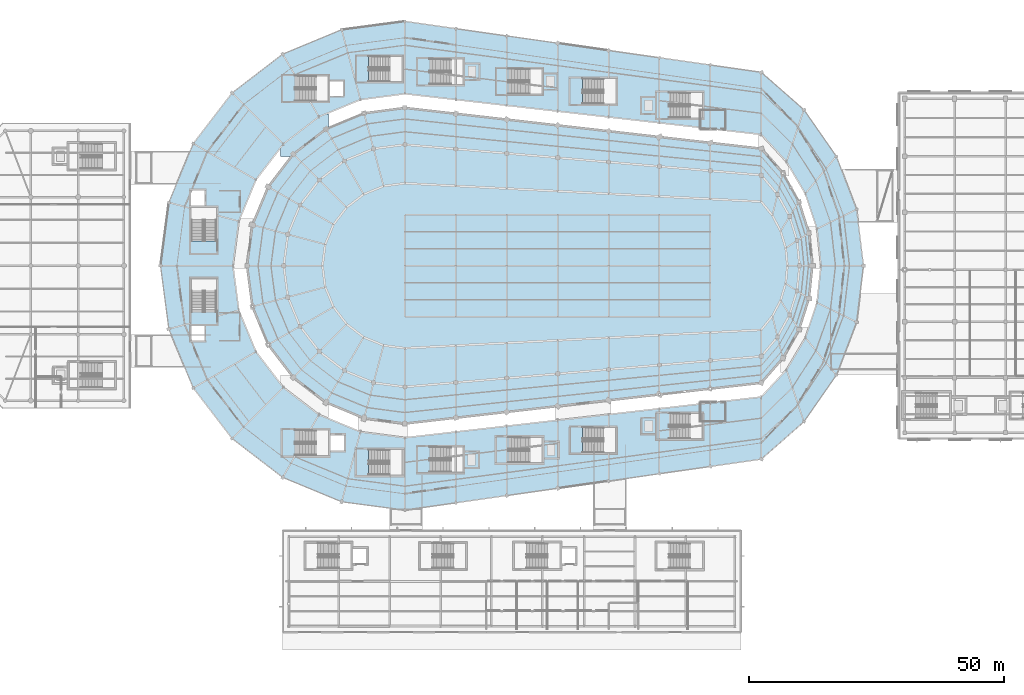
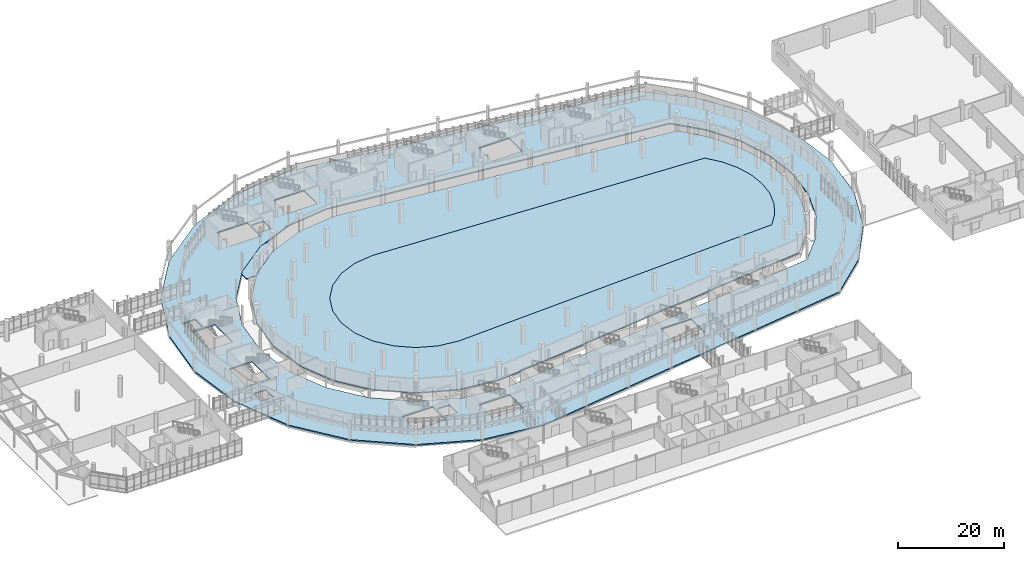
# One storey, part 87 of 122: 4 slabs.
"""IFC4 building model written with IfcOpenShell, lengths in metres."""

from ifc_helpers import new_model, si_unit, direction, frame, origin, place, context, subcontext, project, spatial, polyline, outline, extrude, material, layer, layer_set, type_object, element, save


model = new_model("IFC4")

# Units and contexts
model_context = context("Model", 3, precision=1e-05, world=origin(), true_north=direction((0.0, 1.0)))
body_context = subcontext(model_context, "Body", "Model", "MODEL_VIEW")
ifc_project = project(units=[si_unit("LENGTHUNIT", "METRE"), si_unit("AREAUNIT", "SQUARE_METRE"), si_unit("VOLUMEUNIT", "CUBIC_METRE"), si_unit("PLANEANGLEUNIT", "RADIAN"), si_unit("MASSUNIT", "GRAM", prefix="KILO")], contexts=[model_context])

# Site, building, storey
site_placement = place(None, origin())
site = spatial("IfcSite", under=ifc_project, at=site_placement, CompositionType="ELEMENT")
building_placement = place(site_placement, origin())
building = spatial("IfcBuilding", under=site, at=building_placement, Name="Sohan Crest Arena", CompositionType="ELEMENT")
storey_placement = place(building_placement, origin())
storey = spatial("IfcBuildingStorey", under=building, at=storey_placement, Name="L00", CompositionType="ELEMENT", Elevation=0.0)

# Slabs
ifc_material = material(Name="Concrete C40/50", Category="concrete")
ifc_layer_1 = layer(ifc_material, 0.25, Name="Concrete C40/50")
ifc_layer_set_1 = layer_set([ifc_layer_1], Name="Concrete C40/50")
slab_type_1 = type_object("IfcSlabType", Name="SL-FLR3", PredefinedType="FLOOR", material=ifc_layer_set_1)
slab_1_placement = place(storey_placement, frame((0.0, 0.0, -0.25)))
element("IfcSlab", 1, at=slab_1_placement, inside=storey, type_object=slab_type_1, Name="Bowl courtside concourse slab SL-L00-V1", PredefinedType="FLOOR", context=body_context, shape_type="SweptSolid", body=[
    extrude(outline(polyline([(98.0, 109.0), (89.97705078125, 107.944091796875), (82.5, 104.846923828125), (76.080078125, 99.919921875), (71.153076171875, 93.5), (68.055908203125, 86.02294921875), (67.0, 78.0), (68.055908203125, 69.97705078125), (71.153076171875, 62.5), (76.080078125, 56.080078125), (82.5, 51.153076171875), (89.97705078125, 48.055908203125), (98.0, 47.0), (168.0, 55.0), (172.242919921875, 59.845947265625), (175.408935546875, 65.455078125), (177.363037109375, 71.593017578125), (178.02294921875, 78.0), (177.363037109375, 84.406982421875), (175.408935546875, 90.544921875), (172.242919921875, 96.154052734375), (168.0, 101.0), (98.0, 109.0)]), holes=[polyline([(98.0, 94.199951171875), (93.806884765625, 93.64794921875), (89.89990234375, 92.030029296875), (86.544921875, 89.455078125), (83.969970703125, 86.10009765625), (82.35205078125, 82.193115234375), (81.800048828125, 78.0), (82.35205078125, 73.806884765625), (83.969970703125, 69.89990234375), (86.544921875, 66.544921875), (89.89990234375, 63.969970703125), (93.806884765625, 62.35205078125), (98.0, 61.800048828125), (168.0, 65.39990234375), (170.18603515625, 68.112060546875), (171.80908203125, 71.195068359375), (172.80810546875, 74.532958984375), (173.14501953125, 78.0), (172.80810546875, 81.467041015625), (171.80908203125, 84.804931640625), (170.18603515625, 87.887939453125), (168.0, 90.60009765625), (98.0, 94.199951171875)])]), origin(), (0.0, 0.0, 1.0), 0.25),
])
slab_2_placement = place(storey_placement, frame((0.0, 0.0, -0.25)))
element("IfcSlab", 2, at=slab_2_placement, inside=storey, type_object=slab_type_1, Name="Seismic joint threshold slab L00 SL-TH-L00-02", PredefinedType="FLOOR", context=body_context, shape_type="SweptSolid", body=[
    extrude(outline(polyline([(74.10009765625, 101.89990234375), (81.10009765625, 107.27197265625), (82.306884765625, 107.77197265625), (83.0, 107.77197265625), (83.0, 105.053955078125), (82.5, 104.846923828125), (76.080078125, 99.919921875), (75.696044921875, 99.419921875), (73.60009765625, 99.419921875), (73.60009765625, 101.248046875), (74.10009765625, 101.89990234375)])), origin(), (0.0, 0.0, 1.0), 0.25),
])
ifc_layer_2 = layer(ifc_material, 0.27490234375, Name="Concrete C40/50")
ifc_layer_set_2 = layer_set([ifc_layer_2], Name="Concrete C40/50")
slab_type_2 = type_object("IfcSlabType", Name="SL-FLR4", PredefinedType="FLOOR", material=ifc_layer_set_2)
slab_3_placement = place(storey_placement, frame((0.0, 0.0, -0.27490234375)))
element("IfcSlab", 3, at=slab_3_placement, inside=storey, type_object=slab_type_2, Name="Concourse L00 slab SL-L00-V2", PredefinedType="FLOOR", context=body_context, shape_type="SweptSolid", body=[
    extrude(outline(polyline([(186.72509765625, 66.929931640625), (182.7490234375, 56.510986328125), (176.383056640625, 47.35498046875), (168.0, 40.0), (98.0, 30.0), (85.576904296875, 31.635986328125), (74.0, 36.430908203125), (64.05908203125, 44.05908203125), (56.430908203125, 54.0), (51.635986328125, 65.576904296875), (50.0, 78.0), (51.635986328125, 90.423095703125), (56.430908203125, 102.0), (64.05908203125, 111.94091796875), (74.0, 119.569091796875), (85.576904296875, 124.364013671875), (98.0, 126.0), (168.0, 116.0), (176.383056640625, 108.64501953125), (182.7490234375, 99.489013671875), (186.72509765625, 89.070068359375), (188.076904296875, 78.0), (186.72509765625, 66.929931640625)]), holes=[polyline([(98.0, 44.199951171875), (168.0, 52.199951171875), (172.9609375, 57.547119140625), (176.674072265625, 63.824951171875), (178.971923828125, 70.748046875), (179.75, 78.0), (178.971923828125, 85.251953125), (176.674072265625, 92.175048828125), (172.9609375, 98.452880859375), (168.0, 103.800048828125), (98.0, 111.800048828125), (89.251953125, 110.64794921875), (81.10009765625, 107.27197265625), (74.10009765625, 101.89990234375), (68.72802734375, 94.89990234375), (65.35205078125, 86.748046875), (64.199951171875, 78.0), (65.35205078125, 69.251953125), (68.72802734375, 61.10009765625), (74.10009765625, 54.10009765625), (81.10009765625, 48.72802734375), (89.251953125, 45.35205078125), (98.0, 44.199951171875)]), polyline([(61.0, 68.8701171875), (61.0, 75.449951171875), (56.0, 75.449951171875), (56.0, 68.8701171875), (61.0, 68.8701171875)]), polyline([(56.0, 63.300048828125), (58.60009765625, 63.300048828125), (58.60009765625, 66.199951171875), (56.0, 66.199951171875), (56.0, 63.300048828125)]), polyline([(56.0, 89.449951171875), (56.0, 82.8701171875), (61.0, 82.8701171875), (61.0, 89.449951171875), (56.0, 89.449951171875)]), polyline([(58.60009765625, 92.75), (56.0, 92.75), (56.0, 89.85009765625), (58.60009765625, 89.85009765625), (58.60009765625, 92.75)]), polyline([(82.949951171875, 40.699951171875), (82.949951171875, 45.699951171875), (76.3701171875, 45.699951171875), (76.3701171875, 40.699951171875), (82.949951171875, 40.699951171875)]), polyline([(83.39990234375, 41.75), (86.0, 41.75), (86.0, 44.64990234375), (83.39990234375, 44.64990234375), (83.39990234375, 41.75)]), polyline([(76.3701171875, 115.300048828125), (76.3701171875, 110.300048828125), (82.949951171875, 110.300048828125), (82.949951171875, 115.300048828125), (76.3701171875, 115.300048828125)]), polyline([(85.85009765625, 114.25), (83.25, 114.25), (83.25, 111.35009765625), (85.85009765625, 111.35009765625), (85.85009765625, 114.25)]), polyline([(97.449951171875, 36.860107421875), (97.449951171875, 41.860107421875), (90.8701171875, 41.860107421875), (90.8701171875, 36.860107421875), (97.449951171875, 36.860107421875)]), polyline([(90.8701171875, 114.139892578125), (97.449951171875, 114.139892578125), (97.449951171875, 119.139892578125), (90.8701171875, 119.139892578125), (90.8701171875, 114.139892578125)]), polyline([(132.8701171875, 46.25), (132.8701171875, 41.25), (139.449951171875, 41.25), (139.449951171875, 46.25), (132.8701171875, 46.25)]), polyline([(139.449951171875, 114.75), (132.8701171875, 114.75), (132.8701171875, 109.75), (139.449951171875, 109.75), (139.449951171875, 114.75)])]), origin(), (0.0, 0.0, 1.0), 0.27490234375),
])
ifc_layer_3 = layer(ifc_material, 0.300048828125, Name="Concrete C40/50")
ifc_layer_set_3 = layer_set([ifc_layer_3], Name="Concrete C40/50")
slab_type_3 = type_object("IfcSlabType", Name="SL-FLR5", PredefinedType="FLOOR", material=ifc_layer_set_3)
slab_4_placement = place(storey_placement, frame((0.0, 0.0, -0.300048828125)))
element("IfcSlab", 4, at=slab_4_placement, inside=storey, type_object=slab_type_3, Name="Arena event floor slab SL-L00-EVT", PredefinedType="FLOOR", context=body_context, shape_type="SweptSolid", body=[
    extrude(outline(polyline([(98.0, 94.199951171875), (93.806884765625, 93.64794921875), (89.89990234375, 92.030029296875), (86.544921875, 89.455078125), (83.969970703125, 86.10009765625), (82.35205078125, 82.193115234375), (81.800048828125, 78.0), (82.35205078125, 73.806884765625), (83.969970703125, 69.89990234375), (86.544921875, 66.544921875), (89.89990234375, 63.969970703125), (93.806884765625, 62.35205078125), (98.0, 61.800048828125), (168.0, 65.39990234375), (170.18603515625, 68.112060546875), (171.80908203125, 71.195068359375), (172.80810546875, 74.532958984375), (173.14501953125, 78.0), (172.80810546875, 81.467041015625), (171.80908203125, 84.804931640625), (170.18603515625, 87.887939453125), (168.0, 90.60009765625), (98.0, 94.199951171875)])), origin(), (0.0, 0.0, 1.0), 0.300048828125),
])

save(model, "model.ifc")
